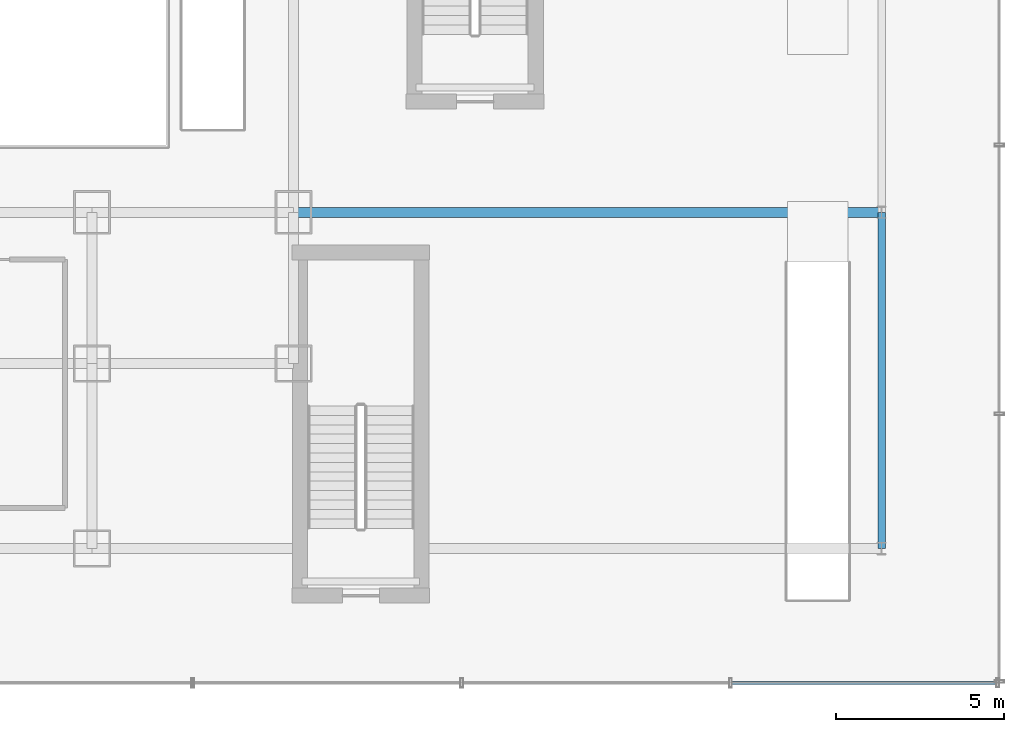
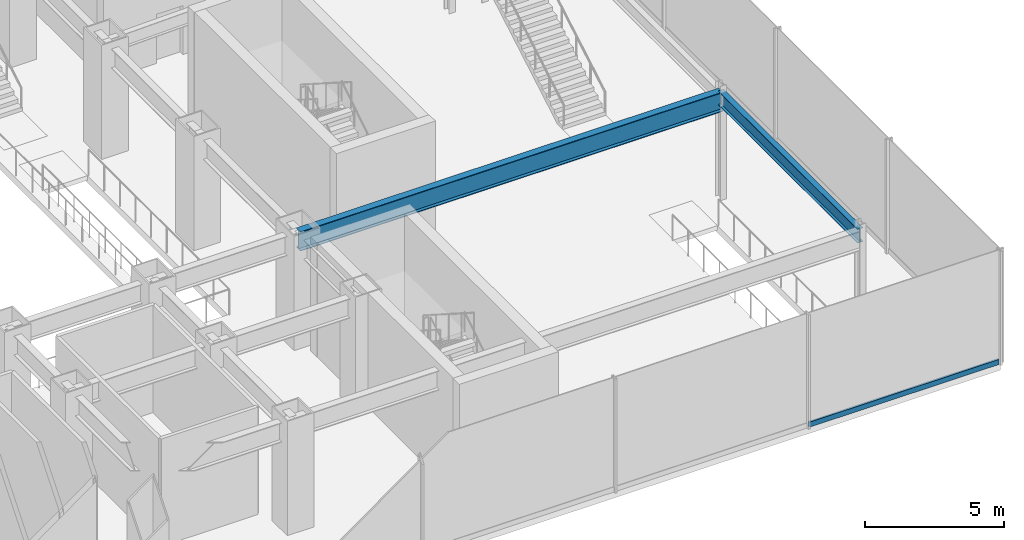
# One storey, part 20 of 40: 2 beams, 1 member, 1 element without a shape of its own.
"""IFC4 building model written with IfcOpenShell, lengths in metres."""

from ifc_helpers import new_model, si_unit, derived_unit, direction, frame, origin, origin_2d, place, context, subcontext, project, spatial, hollow_rectangle, i_section, extrude, source, transform, mapped, material, material_profile, profile_set, type_object, element, aggregate, save


model = new_model("IFC4")

# Units and contexts
model_context = context("Model", 3, precision=1e-05, world=origin(), true_north=direction((0.0, 1.0)))
body_context = subcontext(model_context, "Body", "Model", "MODEL_VIEW")
ifc_project = project(units=[si_unit("LENGTHUNIT", "METRE"), si_unit("AREAUNIT", "SQUARE_METRE"), si_unit("VOLUMEUNIT", "CUBIC_METRE"), si_unit("PLANEANGLEUNIT", "RADIAN"), si_unit("MASSUNIT", "GRAM", prefix="KILO"), derived_unit("THERMALTRANSMITTANCEUNIT", [(si_unit("POWERUNIT", "WATT"), 1), (si_unit("LENGTHUNIT", "METRE"), -2), (si_unit("THERMODYNAMICTEMPERATUREUNIT", "KELVIN"), -1)])], contexts=[model_context])

# Site, building, storey
site_placement = place(None, origin())
site = spatial("IfcSite", under=ifc_project, at=site_placement, CompositionType="ELEMENT")
building_placement = place(site_placement, origin())
building = spatial("IfcBuilding", under=site, at=building_placement, Name="Skarnbrae Concourse Arena and Tower", CompositionType="ELEMENT")
storey_placement = place(building_placement, frame((0.0, 0.0, 6.0)))
storey = spatial("IfcBuildingStorey", under=building, at=storey_placement, Name="L01", CompositionType="ELEMENT", Elevation=6.0)

# Beams
ifc_material_1 = material(Name="Steel CSA G40.21 350W", Category="steel")
ifc_material_profile_1 = material_profile(ifc_material_1, i_section(OverallWidth=0.2939453125, OverallDepth=0.85107421875, WebThickness=0.01611328125, FlangeThickness=0.02685546875, at=origin_2d()), Name="W840X226")
ifc_profile_set_1 = profile_set([ifc_material_profile_1], Name="Steel CSA G40.21 350W")
beam_type_1 = type_object("IfcBeamType", Name="BM-GIRD-W840X226", PredefinedType="BEAM", material=ifc_profile_set_1)
shared_shape_1 = source(origin(), body_context, "Body", "SweptSolid", [
    extrude(i_section(OverallWidth=0.2939453125, OverallDepth=0.85107421875, WebThickness=0.01611328125, FlangeThickness=0.02685546875, at=origin_2d()), origin(), (0.0, 0.0, 1.0), 17.5),
])
beam_1_placement = place(storey_placement, frame((61.0, 14.0, 4.2744140625), z_axis=(1.0, 0.0, 0.0), x_axis=(0.0, 1.0, 0.0)))
element("IfcBeam", 1, at=beam_1_placement, inside=storey, type_object=beam_type_1, Name="L01 Podium south spine girder 10", PredefinedType="BEAM", context=body_context, shape_type="MappedRepresentation", body=[
    mapped(shared_shape_1, transform((0.0, 0.0, 0.0))),
])
ifc_material_profile_2 = material_profile(ifc_material_1, i_section(OverallWidth=0.22802734375, OverallDepth=0.60791015625, WebThickness=0.01123046875, FlangeThickness=0.017333984375, at=origin_2d()), Name="W610X113")
ifc_profile_set_2 = profile_set([ifc_material_profile_2], Name="Steel CSA G40.21 350W")
beam_type_2 = type_object("IfcBeamType", Name="BM-GIRD-W610X113", PredefinedType="BEAM", material=ifc_profile_set_2)
shared_shape_2 = source(origin(), body_context, "Body", "SweptSolid", [
    extrude(i_section(OverallWidth=0.22802734375, OverallDepth=0.60791015625, WebThickness=0.01123046875, FlangeThickness=0.017333984375, at=origin_2d()), origin(), (0.0, 0.0, 1.0), 10.0),
])
beam_2_placement = place(storey_placement, frame((78.5, 4.0, 4.39599609375), z_axis=(0.0, 1.0, 0.0), x_axis=(-1.0, 0.0, 0.0)))
element("IfcBeam", 2, at=beam_2_placement, inside=storey, type_object=beam_type_2, Name="L01 Podium outer east girder 1", PredefinedType="BEAM", context=body_context, shape_type="MappedRepresentation", body=[
    mapped(shared_shape_2, transform((0.0, 0.0, 0.0))),
])

# Curtain wall, member
ifc_material_2 = material(Name="Bronze anodised aluminium 6063-T6", Category="aluminium")
curtain_wall_type = type_object("IfcCurtainWallType", Name="CW-SYS-01-PODIUM", PredefinedType="USERDEFINED", material=ifc_material_2)
curtain_wall_placement = place(storey_placement, origin())
curtain_wall = element("IfcCurtainWall", 3, at=curtain_wall_placement, inside=storey, type_object=curtain_wall_type, Name="L01 Unitised curtain wall CW-L01-SE", ObjectType="UNITISED CURTAIN WALL", PredefinedType="USERDEFINED")
ifc_material_profile_3 = material_profile(ifc_material_2, hollow_rectangle(XDim=0.0849609375, YDim=0.219970703125, WallThickness=0.006103515625, at=origin_2d()), Name="ALU-TRAN-85X220")
ifc_profile_set_3 = profile_set([ifc_material_profile_3], Name="Bronze anodised aluminium 6063-T6")
member_type = type_object("IfcMemberType", Name="CWT-CW-01", PredefinedType="USERDEFINED", material=ifc_profile_set_3)
shared_shape_3 = source(origin(), body_context, "Body", "SweptSolid", [
    extrude(hollow_rectangle(XDim=0.0849609375, YDim=0.219970703125, WallThickness=0.006103515625, at=origin_2d()), origin(), (0.0, 0.0, 1.0), 7.87255859375),
])
member_placement = place(storey_placement, frame((74.04248046875, 0.0, 0.110107421875), z_axis=(1.0, 0.0, 0.0), x_axis=(0.0, 1.0, 0.0)))
member = element("IfcMember", 4, at=member_placement, type_object=member_type, Name="CW-L01-SE Transom 6", ObjectType="TRANSOM", PredefinedType="USERDEFINED", context=body_context, shape_type="MappedRepresentation", body=[
    mapped(shared_shape_3, transform((0.0, 0.0, 0.0))),
])
aggregate(curtain_wall, [member])

save(model, "model.ifc")
